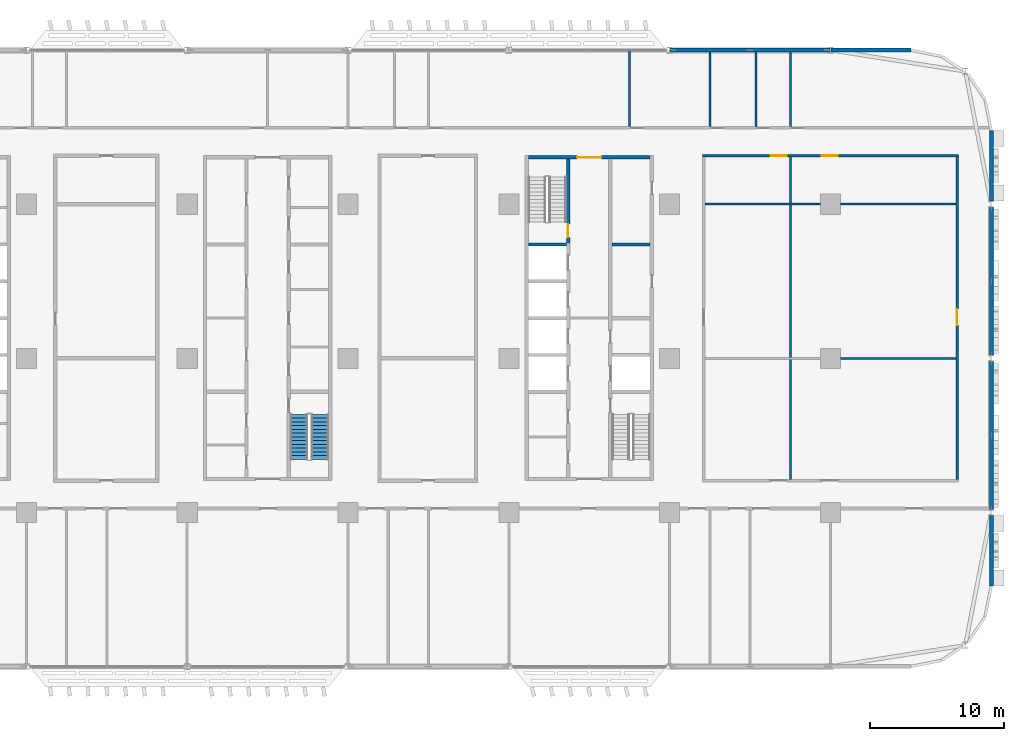
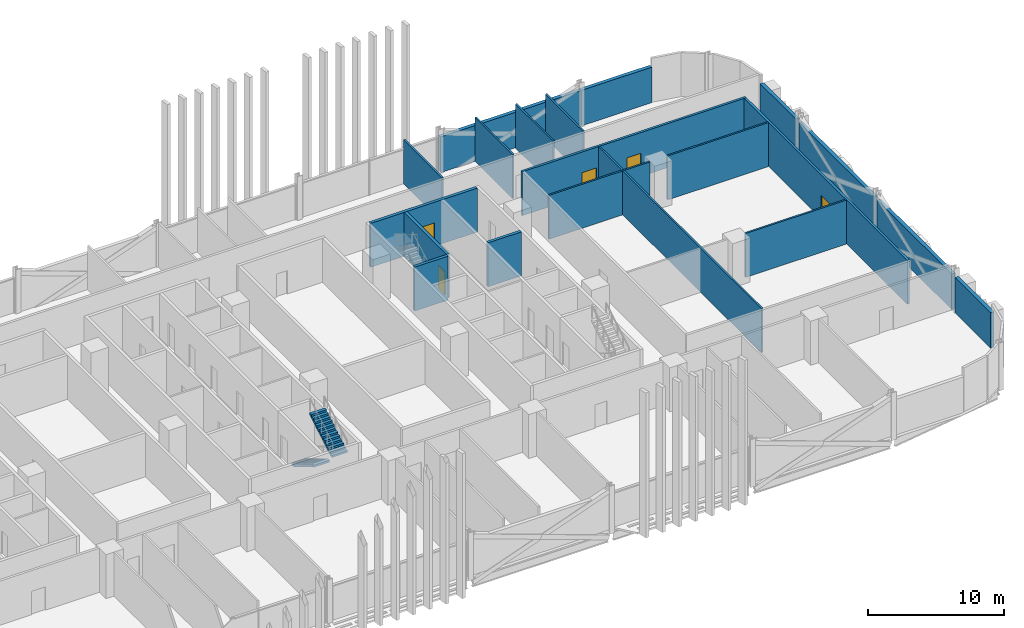
# One storey, part 17 of 29: 20 walls, 5 doors, 2 stair flights, 5 openings, 1 element without a shape of its own.
"""IFC4 building model written with IfcOpenShell, lengths in metres."""

from ifc_helpers import new_model, si_unit, direction, frame, frame_2d, origin, place, context, subcontext, project, spatial, polyline, rectangle, outline, extrude, material, layer, layer_set, type_object, element, fill, aggregate, save


model = new_model("IFC4")

# Units and contexts
model_context = context("Model", 3, precision=1e-05, world=origin(), true_north=direction((0.0, 1.0)))
body_context = subcontext(model_context, "Body", "Model", "MODEL_VIEW")
ifc_project = project(units=[si_unit("LENGTHUNIT", "METRE"), si_unit("AREAUNIT", "SQUARE_METRE"), si_unit("VOLUMEUNIT", "CUBIC_METRE"), si_unit("PLANEANGLEUNIT", "RADIAN"), si_unit("MASSUNIT", "GRAM", prefix="KILO")], contexts=[model_context])

# Site, building, storey
site_placement = place(None, origin())
site = spatial("IfcSite", under=ifc_project, at=site_placement, CompositionType="ELEMENT")
building_placement = place(site_placement, origin())
building = spatial("IfcBuilding", under=site, at=building_placement, Name="Mahtab Terrace Research Tower", CompositionType="ELEMENT")
storey_placement = place(building_placement, frame((0.0, 0.0, 63.199951171875)))
storey = spatial("IfcBuildingStorey", under=building, at=storey_placement, Name="L14", CompositionType="ELEMENT", Elevation=63.199951171875)

# Wall, opening, door
ifc_material_1 = material(Name="Concrete C70/85", Category="concrete")
ifc_layer_1 = layer(ifc_material_1, 0.25)
ifc_layer_set_1 = layer_set([ifc_layer_1], Name="Core wall 250")
wall_type_1 = type_object("IfcWallType", Name="Core wall 250", PredefinedType="SOLIDWALL", material=ifc_layer_set_1)
wall_1_placement = place(storey_placement, frame((19.449951171875, 15.0, 0.0), z_axis=(0.0, 0.0, 1.0), x_axis=(1.0, 0.0, 0.0)))
wall_1 = element("IfcWall", 1, at=wall_1_placement, inside=storey, type_object=wall_type_1, Name="Core wall C endN", PredefinedType="SOLIDWALL", context=body_context, shape_type="SweptSolid", body=[
    extrude(rectangle(XDim=9.10009765625, YDim=0.25, at=frame_2d((4.550048828125, 0.0))), origin(), (0.0, 0.0, 1.0), 3.9599609375),
])
opening_1_placement = place(wall_1_placement, frame((3.64990234375, 0.0, 0.0)))
opening_1 = element("IfcOpeningElement", 2, at=opening_1_placement, cuts=wall_1, Name="Opening C-N1", PredefinedType="OPENING", context=body_context, shape_type="SweptSolid", body=[
    extrude(rectangle(XDim=1.800048828125, YDim=2.10009765625, at=frame_2d((0.89990234375, 1.050048828125))), frame((0.0, 0.135009765625, 0.0), z_axis=(0.0, -1.0, 0.0), x_axis=(1.0, 0.0, 0.0)), (0.0, 0.0, 1.0), 0.27001953125),
])
ifc_material_2 = material(Name="Steel fire door", Category="steel")
door_type_1 = type_object("IfcDoorType", Name="Lobby double door 1800x2100 1 HR", OperationType="DOUBLE_DOOR_SINGLE_SWING", PredefinedType="DOOR", material=ifc_material_2)
door_1_placement = place(opening_1_placement, origin())
door_1 = element("IfcDoor", 3, at=door_1_placement, inside=storey, type_object=door_type_1, Name="Core entrance door C N", OperationType="DOUBLE_DOOR_SINGLE_SWING", OverallHeight=2.10009765625, OverallWidth=1.800048828125, PredefinedType="DOOR", context=body_context, shape_type="SweptSolid", body=[
    extrude(rectangle(XDim=1.800048828125, YDim=2.10009765625, at=frame_2d((0.89990234375, 1.050048828125))), frame((0.0, 0.02490234375, 0.0), z_axis=(0.0, -1.0, 0.0), x_axis=(1.0, 0.0, 0.0)), (0.0, 0.0, 1.0), 0.050048828125),
])
fill(opening_1, door_1)

wall_2_placement = place(storey_placement, frame((22.425048828125, 14.875, 0.0), z_axis=(0.0, 0.0, 1.0), x_axis=(0.0, -1.0, 0.0)))
wall_2 = element("IfcWall", 4, at=wall_2_placement, inside=storey, type_object=wall_type_1, Name="Core wall C innerWN", PredefinedType="SOLIDWALL", context=body_context, shape_type="SweptSolid", body=[
    extrude(rectangle(XDim=6.25, YDim=0.25, at=frame_2d((3.125, 0.0))), origin(), (0.0, 0.0, 1.0), 3.9599609375),
])
opening_2_placement = place(wall_2_placement, frame((4.85009765625, 0.0, 0.0)))
opening_2 = element("IfcOpeningElement", 5, at=opening_2_placement, cuts=wall_2, Name="Opening C-ST3", PredefinedType="OPENING", context=body_context, shape_type="SweptSolid", body=[
    extrude(rectangle(XDim=1.0, YDim=2.10009765625, at=frame_2d((0.5, 1.050048828125))), frame((0.0, 0.135009765625, 0.0), z_axis=(0.0, -1.0, 0.0), x_axis=(1.0, 0.0, 0.0)), (0.0, 0.0, 1.0), 0.27001953125),
])
door_type_2 = type_object("IfcDoorType", Name="Stair door 1000x2100 1.5 HR", OperationType="NOTDEFINED", PredefinedType="DOOR", material=ifc_material_2)
door_2_placement = place(opening_2_placement, origin())
door_2 = element("IfcDoor", 6, at=door_2_placement, inside=storey, type_object=door_type_2, Name="Stair door ST3 L14", OperationType="SINGLE_SWING_RIGHT", OverallHeight=2.10009765625, OverallWidth=1.0, PredefinedType="DOOR", context=body_context, shape_type="SweptSolid", body=[
    extrude(rectangle(XDim=1.0, YDim=2.10009765625, at=frame_2d((0.5, 1.050048828125))), frame((0.0, 0.02490234375, 0.0), z_axis=(0.0, -1.0, 0.0), x_axis=(1.0, 0.0, 0.0)), (0.0, 0.0, 1.0), 0.050048828125),
])
fill(opening_2, door_2)

# Walls
for number, where, z_axis, x_axis, name in (
    (7, (19.449951171875, 8.5, 0.0), (0.0, 0.0, 1.0), (1.0, 0.0, 0.0), "Core wall C divW4"),
    (8, (25.699951171875, 8.5, 0.0), (0.0, 0.0, 1.0), (1.0, 0.0, 0.0), "Core wall C divE4"),
):
    element("IfcWall", number, at=place(storey_placement, frame(where, z_axis=z_axis, x_axis=x_axis)), inside=storey, type_object=wall_type_1, Name=name, PredefinedType="SOLIDWALL", context=body_context, shape_type="SweptSolid", body=[
        extrude(rectangle(XDim=2.85009765625, YDim=0.25, at=frame_2d((1.425048828125, 0.0))), origin(), (0.0, 0.0, 1.0), 3.9599609375),
    ])
ifc_material_3 = material(Name="Black aluminium cladding panel", Category="aluminium")
ifc_layer_2 = layer(ifc_material_3, 0.300048828125)
ifc_layer_set_2 = layer_set([ifc_layer_2], Name="Opaque facade wall 300")
wall_type_2 = type_object("IfcWallType", Name="Opaque facade wall 300", PredefinedType="NOTDEFINED", material=ifc_layer_set_2)
wall_3_placement = place(storey_placement, frame((48.0, 23.0, 0.0), z_axis=(0.0, 0.0, 1.0), x_axis=(-1.0, 0.0, 0.0)))
element("IfcWall", 9, at=wall_3_placement, inside=storey, type_object=wall_type_2, Name="Opaque facade wall L14 N3", PredefinedType="NOTDEFINED", context=body_context, shape_type="SweptSolid", body=[
    extrude(rectangle(XDim=5.97607421875, YDim=0.300048828125, at=frame_2d((2.988037109375, 0.0))), origin(), (0.0, 0.0, 1.0), 3.203125),
])
wall_4_placement = place(storey_placement, frame((41.97607421875, 23.0, 0.0), z_axis=(0.0, 0.0, 1.0), x_axis=(-1.0, 0.0, 0.0)))
element("IfcWall", 10, at=wall_4_placement, inside=storey, type_object=wall_type_2, Name="Opaque facade wall L14 N4", PredefinedType="NOTDEFINED", context=body_context, shape_type="SweptSolid", body=[
    extrude(rectangle(XDim=11.9521484375, YDim=0.300048828125, at=frame_2d((5.97607421875, 0.0))), origin(), (0.0, 0.0, 1.0), 3.203125),
])
wall_5_placement = place(storey_placement, frame((54.0, -17.0, 0.0), z_axis=(0.0, 0.0, 1.0), x_axis=(0.0, 1.0, 0.0)))
element("IfcWall", 11, at=wall_5_placement, inside=storey, type_object=wall_type_2, Name="Opaque facade wall L14 E35", PredefinedType="NOTDEFINED", context=body_context, shape_type="SweptSolid", body=[
    extrude(rectangle(XDim=5.261962890625, YDim=0.300048828125, at=frame_2d((2.630859375, 0.0))), origin(), (0.0, 0.0, 1.0), 3.203125),
])
for number, where, z_axis, x_axis, name in (
    (12, (54.0, -11.261962890625, 0.0), (0.0, 0.0, 1.0), (0.0, 1.0, 0.0), "Opaque facade wall L14 E36"),
    (13, (54.0, 0.238037109375, 0.0), (0.0, 0.0, 1.0), (0.0, 1.0, 0.0), "Opaque facade wall L14 E37"),
):
    element("IfcWall", number, at=place(storey_placement, frame(where, z_axis=z_axis, x_axis=x_axis)), inside=storey, type_object=wall_type_2, Name=name, PredefinedType="NOTDEFINED", context=body_context, shape_type="SweptSolid", body=[
        extrude(rectangle(XDim=11.02392578125, YDim=0.300048828125, at=frame_2d((5.511962890625, 0.0))), origin(), (0.0, 0.0, 1.0), 3.203125),
    ])
wall_6_placement = place(storey_placement, frame((54.0, 11.738037109375, 0.0), z_axis=(0.0, 0.0, 1.0), x_axis=(0.0, 1.0, 0.0)))
element("IfcWall", 14, at=wall_6_placement, inside=storey, type_object=wall_type_2, Name="Opaque facade wall L14 E38", PredefinedType="NOTDEFINED", context=body_context, shape_type="SweptSolid", body=[
    extrude(rectangle(XDim=5.261962890625, YDim=0.300048828125, at=frame_2d((2.630859375, 0.0))), origin(), (0.0, 0.0, 1.0), 3.203125),
])

# Wall, openings, doors
ifc_material_4 = material(Name="Gypsum board corridor wall on steel studs", Category="steel")
ifc_layer_3 = layer(ifc_material_4, 0.199951171875)
ifc_layer_set_3 = layer_set([ifc_layer_3], Name="WALL CORRIDOR 200")
wall_type_3 = type_object("IfcWallType", Name="WALL CORRIDOR 200", PredefinedType="PARTITIONING", material=ifc_layer_set_3)
wall_7_placement = place(storey_placement, frame((32.449951171875, 15.125, 0.0), z_axis=(0.0, 0.0, 1.0), x_axis=(1.0, 0.0, 0.0)))
wall_7 = element("IfcWall", 15, at=wall_7_placement, inside=storey, type_object=wall_type_3, Name="L14-W024", PredefinedType="PARTITIONING", context=body_context, shape_type="SweptSolid", body=[
    extrude(rectangle(XDim=19.10009765625, YDim=0.199951171875, at=frame_2d((9.550048828125, 0.0))), origin(), (0.0, 0.0, 1.0), 3.9599609375),
])
opening_3_placement = place(wall_7_placement, frame((5.10009765625, 0.0, 0.0)))
opening_3 = element("IfcOpeningElement", 16, at=opening_3_placement, cuts=wall_7, Name="Opening L14-127", PredefinedType="OPENING", context=body_context, shape_type="SweptSolid", body=[
    extrude(rectangle(XDim=1.199951171875, YDim=2.10009765625, at=frame_2d((0.60009765625, 1.050048828125))), frame((0.0, 0.10986328125, 0.0), z_axis=(0.0, -1.0, 0.0), x_axis=(1.0, 0.0, 0.0)), (0.0, 0.0, 1.0), 0.219970703125),
])
opening_4_placement = place(wall_7_placement, frame((8.89990234375, 0.0, 0.0)))
opening_4 = element("IfcOpeningElement", 17, at=opening_4_placement, cuts=wall_7, Name="Opening L14-128", PredefinedType="OPENING", context=body_context, shape_type="SweptSolid", body=[
    extrude(rectangle(XDim=1.199951171875, YDim=2.10009765625, at=frame_2d((0.60009765625, 1.050048828125))), frame((0.0, 0.10986328125, 0.0), z_axis=(0.0, -1.0, 0.0), x_axis=(1.0, 0.0, 0.0)), (0.0, 0.0, 1.0), 0.219970703125),
])
ifc_material_5 = material(Name="Timber door leaf in steel frame", Category="steel")
door_type_3 = type_object("IfcDoorType", Name="DOOR 1200X2100 FD30S", OperationType="SINGLE_SWING_LEFT", PredefinedType="DOOR", material=ifc_material_5)
door_3_placement = place(opening_3_placement, origin())
door_3 = element("IfcDoor", 18, at=door_3_placement, inside=storey, type_object=door_type_3, Name="Door L14-127", OperationType="SINGLE_SWING_RIGHT", OverallHeight=2.10009765625, OverallWidth=1.199951171875, PredefinedType="DOOR", context=body_context, shape_type="SweptSolid", body=[
    extrude(rectangle(XDim=1.199951171875, YDim=2.10009765625, at=frame_2d((0.60009765625, 1.050048828125))), frame((0.0, 0.02490234375, 0.0), z_axis=(0.0, -1.0, 0.0), x_axis=(1.0, 0.0, 0.0)), (0.0, 0.0, 1.0), 0.050048828125),
])
fill(opening_3, door_3)
door_4_placement = place(opening_4_placement, origin())
door_4 = element("IfcDoor", 19, at=door_4_placement, inside=storey, type_object=door_type_3, Name="Door L14-128", OperationType="SINGLE_SWING_RIGHT", OverallHeight=2.10009765625, OverallWidth=1.199951171875, PredefinedType="DOOR", context=body_context, shape_type="SweptSolid", body=[
    extrude(rectangle(XDim=1.199951171875, YDim=2.10009765625, at=frame_2d((0.60009765625, 1.050048828125))), frame((0.0, 0.02490234375, 0.0), z_axis=(0.0, -1.0, 0.0), x_axis=(1.0, 0.0, 0.0)), (0.0, 0.0, 1.0), 0.050048828125),
])
fill(opening_4, door_4)

# Wall, opening, door
wall_8_placement = place(storey_placement, frame((51.449951171875, -9.02490234375, 0.0), z_axis=(0.0, 0.0, 1.0), x_axis=(0.0, 1.0, 0.0)))
wall_8 = element("IfcWall", 20, at=wall_8_placement, inside=storey, type_object=wall_type_3, Name="L14-W059", PredefinedType="PARTITIONING", context=body_context, shape_type="SweptSolid", body=[
    extrude(rectangle(XDim=24.0498046875, YDim=0.199951171875, at=frame_2d((12.02490234375, 0.0))), origin(), (0.0, 0.0, 1.0), 3.9599609375),
])
opening_5_placement = place(wall_8_placement, frame((11.5, 0.0, 0.0)))
opening_5 = element("IfcOpeningElement", 21, at=opening_5_placement, cuts=wall_8, Name="Opening L14-123", PredefinedType="OPENING", context=body_context, shape_type="SweptSolid", body=[
    extrude(rectangle(XDim=1.199951171875, YDim=2.10009765625, at=frame_2d((0.60009765625, 1.050048828125))), frame((0.0, 0.10986328125, 0.0), z_axis=(0.0, -1.0, 0.0), x_axis=(1.0, 0.0, 0.0)), (0.0, 0.0, 1.0), 0.219970703125),
])
door_5_placement = place(opening_5_placement, origin())
door_5 = element("IfcDoor", 22, at=door_5_placement, inside=storey, type_object=door_type_3, Name="Door L14-123", OperationType="SINGLE_SWING_RIGHT", OverallHeight=2.10009765625, OverallWidth=1.199951171875, PredefinedType="DOOR", context=body_context, shape_type="SweptSolid", body=[
    extrude(rectangle(XDim=1.199951171875, YDim=2.10009765625, at=frame_2d((0.60009765625, 1.050048828125))), frame((0.0, 0.02490234375, 0.0), z_axis=(0.0, -1.0, 0.0), x_axis=(1.0, 0.0, 0.0)), (0.0, 0.0, 1.0), 0.050048828125),
])
fill(opening_5, door_5)

# Walls
ifc_material_6 = material(Name="Gypsum board partition on steel studs", Category="steel")
ifc_layer_4 = layer(ifc_material_6, 0.14990234375)
ifc_layer_set_4 = layer_set([ifc_layer_4], Name="WALL PARTITION 150")
wall_type_4 = type_object("IfcWallType", Name="WALL PARTITION 150", PredefinedType="PARTITIONING", material=ifc_layer_set_4)
for number, where, z_axis, x_axis, name in (
    (23, (42.75, 0.0, 0.0), (0.0, 0.0, 1.0), (1.0, 0.0, 0.0), "L14-W017"),
    (24, (32.64990234375, 11.5, 0.0), (0.0, 0.0, 1.0), (1.0, 0.0, 0.0), "L14-W019"),
    (25, (42.75, 11.5, 0.0), (0.0, 0.0, 1.0), (1.0, 0.0, 0.0), "L14-W020"),
):
    element("IfcWall", number, at=place(storey_placement, frame(where, z_axis=z_axis, x_axis=x_axis)), inside=storey, type_object=wall_type_4, Name=name, PredefinedType="PARTITIONING", context=body_context, shape_type="SweptSolid", body=[
        extrude(rectangle(XDim=8.60009765625, YDim=0.14990234375, at=frame_2d((4.300048828125, 0.0))), origin(), (0.0, 0.0, 1.0), 3.9599609375),
    ])
wall_9_placement = place(storey_placement, frame((27.0, 17.300048828125, 0.0), z_axis=(0.0, 0.0, 1.0), x_axis=(0.0, 1.0, 0.0)))
element("IfcWall", 26, at=wall_9_placement, inside=storey, type_object=wall_type_4, Name="L14-W049", PredefinedType="PARTITIONING", context=body_context, shape_type="SweptSolid", body=[
    extrude(rectangle(XDim=5.675048828125, YDim=0.14990234375, at=frame_2d((2.83740234375, 0.0))), origin(), (0.0, 0.0, 1.0), 3.9599609375),
])
for number, where, z_axis, x_axis, name in (
    (27, (33.0, 17.300048828125, 0.0), (0.0, 0.0, 1.0), (0.0, 1.0, 0.0), "L14-W053"),
    (28, (36.449951171875, 17.300048828125, 0.0), (0.0, 0.0, 1.0), (0.0, 1.0, 0.0), "L14-W055"),
):
    element("IfcWall", number, at=place(storey_placement, frame(where, z_axis=z_axis, x_axis=x_axis)), inside=storey, type_object=wall_type_4, Name=name, PredefinedType="PARTITIONING", context=body_context, shape_type="SweptSolid", body=[
        extrude(rectangle(XDim=5.550048828125, YDim=0.14990234375, at=frame_2d((2.77490234375, 0.0))), origin(), (0.0, 0.0, 1.0), 3.9599609375),
    ])
wall_10_placement = place(storey_placement, frame((39.0, -9.02490234375, 0.0), z_axis=(0.0, 0.0, 1.0), x_axis=(0.0, 1.0, 0.0)))
element("IfcWall", 29, at=wall_10_placement, inside=storey, type_object=wall_type_4, Name="L14-W056", PredefinedType="PARTITIONING", context=body_context, shape_type="SweptSolid", body=[
    extrude(rectangle(XDim=24.0498046875, YDim=0.14990234375, at=frame_2d((12.02490234375, 0.0))), origin(), (0.0, 0.0, 1.0), 3.9599609375),
])
wall_11_placement = place(storey_placement, frame((39.0, 17.300048828125, 0.0), z_axis=(0.0, 0.0, 1.0), x_axis=(0.0, 1.0, 0.0)))
element("IfcWall", 30, at=wall_11_placement, inside=storey, type_object=wall_type_4, Name="L14-W057", PredefinedType="PARTITIONING", context=body_context, shape_type="SweptSolid", body=[
    extrude(rectangle(XDim=5.550048828125, YDim=0.14990234375, at=frame_2d((2.77490234375, 0.0))), origin(), (0.0, 0.0, 1.0), 3.9599609375),
])

# Stair, stair flights
ifc_material_7 = material(Name="Exit stair half-turn")
stair_type = type_object("IfcStairType", Name="Exit stair half-turn", PredefinedType="HALF_TURN_STAIR", material=ifc_material_7)
stair_placement = place(storey_placement, origin())
stair = element("IfcStair", 31, at=stair_placement, inside=storey, type_object=stair_type, Name="L14 Protected exit stair ST2", PredefinedType="HALF_TURN_STAIR")
ifc_material_8 = material(Name="Concrete C40/50", Category="concrete")
stair_flight_type = type_object("IfcStairFlightType", Name="Exit stair flight 1300", PredefinedType="STRAIGHT", material=ifc_material_8)
stair_flight_1_placement = place(storey_placement, frame((2.35009765625, -4.175048828125, 0.0), z_axis=(0.0, 0.0, 1.0), x_axis=(0.0, -1.0, 0.0)))
stair_flight_1 = element("IfcStairFlight", 32, at=stair_flight_1_placement, type_object=stair_flight_type, Name="ST2 flight 1", NumberOfRisers=13, NumberOfTreads=12, PredefinedType="STRAIGHT", RiserHeight=0.165384615, TreadLength=0.28, context=body_context, shape_type="SweptSolid", body=[
    extrude(outline(polyline([(0.0, 0.0), (0.0, 0.165283203125), (0.280029296875, 0.165283203125), (0.280029296875, 0.330810546875), (0.56005859375, 0.330810546875), (0.56005859375, 0.49609375), (0.840087890625, 0.49609375), (0.840087890625, 0.66162109375), (1.1201171875, 0.66162109375), (1.1201171875, 0.826904296875), (1.39990234375, 0.826904296875), (1.39990234375, 0.9921875), (1.679931640625, 0.9921875), (1.679931640625, 1.15771484375), (1.9599609375, 1.15771484375), (1.9599609375, 1.322998046875), (2.239990234375, 1.322998046875), (2.239990234375, 1.488525390625), (2.52001953125, 1.488525390625), (2.52001953125, 1.65380859375), (2.800048828125, 1.65380859375), (2.800048828125, 1.8193359375), (3.080078125, 1.8193359375), (3.080078125, 1.984619140625), (3.360107421875, 1.984619140625), (3.360107421875, 2.14990234375), (3.360107421875, 1.810546875), (0.294677734375, 0.0), (0.0, 0.0)])), frame((0.0, 0.64990234375, 0.0), z_axis=(0.0, -1.0, 0.0), x_axis=(1.0, 0.0, 0.0)), (0.0, 0.0, 1.0), 1.300048828125),
])
stair_flight_2_placement = place(storey_placement, frame((3.89990234375, -7.534912109375, 2.150146484375), z_axis=(0.0, 0.0, 1.0), x_axis=(0.0, 1.0, 0.0)))
stair_flight_2 = element("IfcStairFlight", 33, at=stair_flight_2_placement, type_object=stair_flight_type, Name="ST2 flight 2", NumberOfRisers=13, NumberOfTreads=12, PredefinedType="STRAIGHT", RiserHeight=0.165384615, TreadLength=0.28, context=body_context, shape_type="SweptSolid", body=[
    extrude(outline(polyline([(0.0, 0.0), (0.0, 0.165283203125), (0.280029296875, 0.165283203125), (0.280029296875, 0.330810546875), (0.56005859375, 0.330810546875), (0.56005859375, 0.49609375), (0.840087890625, 0.49609375), (0.840087890625, 0.66162109375), (1.1201171875, 0.66162109375), (1.1201171875, 0.826904296875), (1.39990234375, 0.826904296875), (1.39990234375, 0.9921875), (1.679931640625, 0.9921875), (1.679931640625, 1.15771484375), (1.9599609375, 1.15771484375), (1.9599609375, 1.322998046875), (2.239990234375, 1.322998046875), (2.239990234375, 1.488525390625), (2.52001953125, 1.488525390625), (2.52001953125, 1.65380859375), (2.800048828125, 1.65380859375), (2.800048828125, 1.8193359375), (3.080078125, 1.8193359375), (3.080078125, 1.984619140625), (3.360107421875, 1.984619140625), (3.360107421875, 2.14990234375), (3.360107421875, 1.810546875), (0.294677734375, 0.0), (0.0, 0.0)])), frame((0.0, 0.64990234375, 0.0), z_axis=(0.0, -1.0, 0.0), x_axis=(1.0, 0.0, 0.0)), (0.0, 0.0, 1.0), 1.300048828125),
])
aggregate(stair, [stair_flight_1, stair_flight_2])

save(model, "model.ifc")
